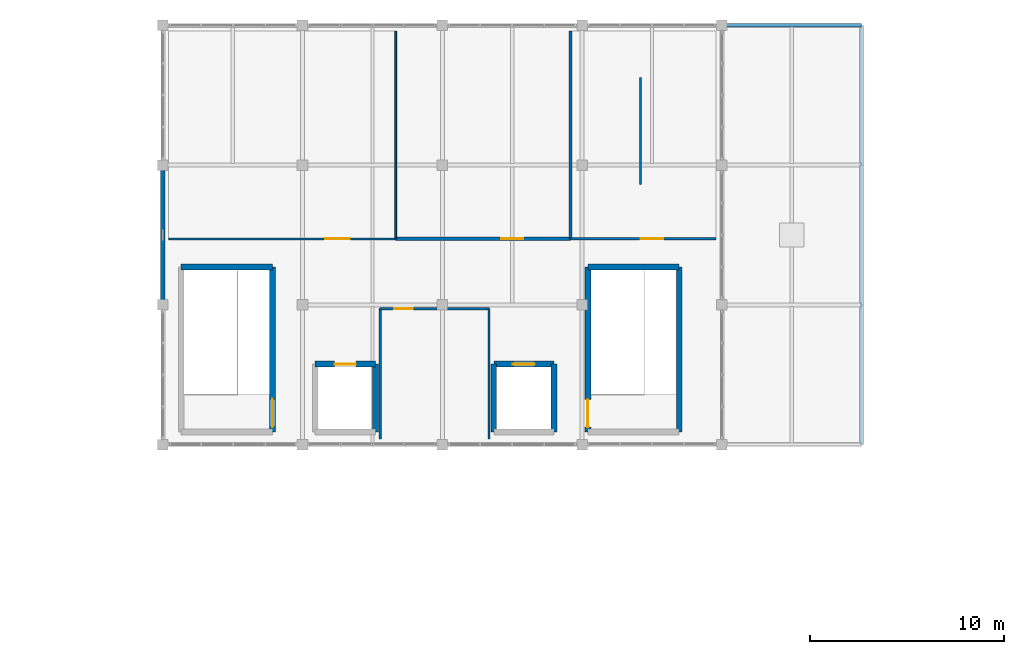
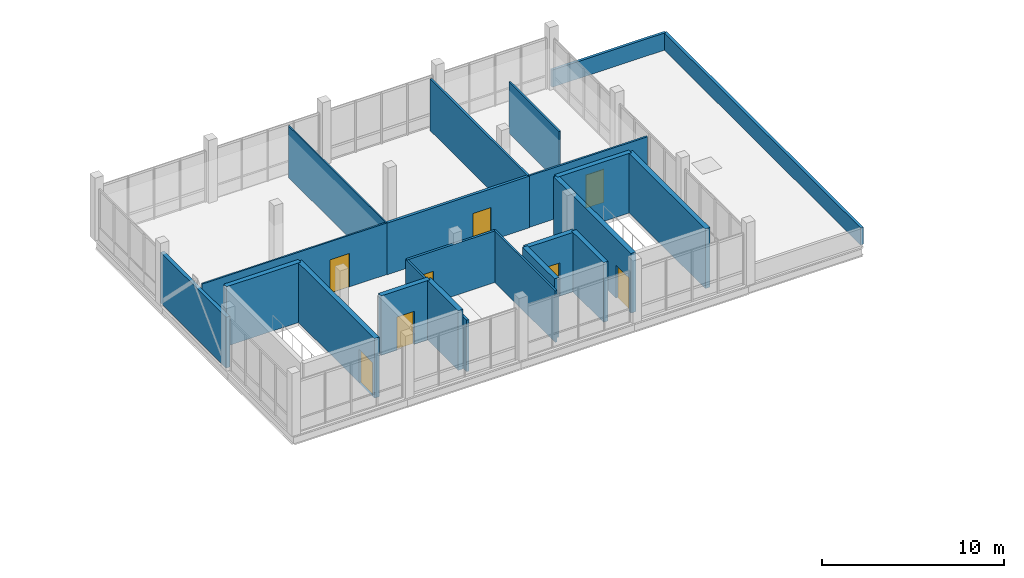
# One storey, part 24 of 28: 22 walls, 8 doors, 8 openings.
"""IFC4 building model written with IfcOpenShell, lengths in metres."""

from ifc_helpers import new_model, si_unit, direction, frame, frame_2d, origin, place, context, subcontext, project, spatial, rectangle, extrude, material, layer, layer_set, type_object, element, fill, save


model = new_model("IFC4")

# Units and contexts
model_context = context("Model", 3, precision=1e-05, world=origin(), true_north=direction((0.0, 1.0)))
body_context = subcontext(model_context, "Body", "Model", "MODEL_VIEW")
ifc_project = project(units=[si_unit("LENGTHUNIT", "METRE"), si_unit("AREAUNIT", "SQUARE_METRE"), si_unit("VOLUMEUNIT", "CUBIC_METRE"), si_unit("PLANEANGLEUNIT", "RADIAN"), si_unit("MASSUNIT", "GRAM", prefix="KILO")], contexts=[model_context])

# Site, building, storey
site_placement = place(None, origin())
site = spatial("IfcSite", under=ifc_project, at=site_placement, CompositionType="ELEMENT")
building_placement = place(site_placement, origin())
building = spatial("IfcBuilding", under=site, at=building_placement, Name="Yarey Park Central Fire Station", CompositionType="ELEMENT")
storey_placement = place(building_placement, frame((0.0, 0.0, 22.199951171875)))
storey = spatial("IfcBuildingStorey", under=building, at=storey_placement, Name="L06", CompositionType="ELEMENT", Elevation=22.199951171875)

# Walls
ifc_material_1 = material(Name="Concrete C35/45", Category="concrete")
ifc_layer_1 = layer(ifc_material_1, 0.22998046875)
ifc_layer_set_1 = layer_set([ifc_layer_1], Name="Concrete C35/45")
wall_type_1 = type_object("IfcWallType", Name="ENV_WALL_INS230", PredefinedType="STANDARD", material=ifc_layer_set_1)
wall_1_placement = place(storey_placement, frame((115.199951171875, 108.0, 0.0), z_axis=(0.0, 0.0, 1.0), x_axis=(0.0, -1.0, 0.0)))
element("IfcWall", 1, at=wall_1_placement, inside=storey, type_object=wall_type_1, Name="EW_L06_V4_WB", PredefinedType="STANDARD", context=body_context, shape_type="SweptSolid", body=[
    extrude(rectangle(XDim=7.199951171875, YDim=0.22998046875, at=frame_2d((3.60009765625, 0.0))), origin(), (0.0, 0.0, 1.0), 3.400146484375),
])
ifc_layer_2 = layer(ifc_material_1, 0.1650390625)
ifc_layer_set_2 = layer_set([ifc_layer_2], Name="Concrete C35/45")
wall_type_2 = type_object("IfcWallType", Name="ENV_WALL_PAR165", PredefinedType="PARAPET", material=ifc_layer_set_2)
wall_2_placement = place(storey_placement, frame((151.199951171875, 115.199951171875, 0.0), z_axis=(0.0, 0.0, 1.0), x_axis=(-1.0, 0.0, 0.0)))
element("IfcWall", 2, at=wall_2_placement, inside=storey, type_object=wall_type_2, Name="PAR_L06_28", PredefinedType="PARAPET", context=body_context, shape_type="SweptSolid", body=[
    extrude(rectangle(XDim=7.199951171875, YDim=0.1650390625, at=frame_2d((3.60009765625, 0.0))), origin(), (0.0, 0.0, 1.0), 1.150146484375),
])
ifc_layer_3 = layer(ifc_material_1, 0.18505859375)
ifc_layer_set_3 = layer_set([ifc_layer_3], Name="Concrete C35/45")
wall_type_3 = type_object("IfcWallType", Name="ENV_WALL_PAR185", PredefinedType="PARAPET", material=ifc_layer_set_3)
wall_3_placement = place(storey_placement, frame((151.199951171875, 93.60009765625, 0.0), z_axis=(0.0, 0.0, 1.0), x_axis=(0.0, 1.0, 0.0)))
element("IfcWall", 3, at=wall_3_placement, inside=storey, type_object=wall_type_3, Name="PAR_L06_27", PredefinedType="PARAPET", context=body_context, shape_type="SweptSolid", body=[
    extrude(rectangle(XDim=21.599853515625, YDim=0.18505859375, at=frame_2d((10.7998046875, 0.0))), origin(), (0.0, 0.0, 1.0), 1.150146484375),
])

# Wall, opening, door
ifc_material_2 = material(Name="Concrete C40/50", Category="concrete")
ifc_layer_4 = layer(ifc_material_2, 0.27001953125)
ifc_layer_set_4 = layer_set([ifc_layer_4], Name="Concrete C40/50")
wall_type_4 = type_object("IfcWallType", Name="INT_CORE_RC270", PredefinedType="SHEAR", material=ifc_layer_set_4)
wall_4_placement = place(storey_placement, frame((126.14990234375, 97.75, 0.0), z_axis=(0.0, 0.0, 1.0), x_axis=(-1.0, 0.0, 0.0)))
wall_4 = element("IfcWall", 4, at=wall_4_placement, inside=storey, type_object=wall_type_4, Name="LWALL_C1_L06_N", PredefinedType="SHEAR", context=body_context, shape_type="SweptSolid", body=[
    extrude(rectangle(XDim=3.099853515625, YDim=0.300048828125, at=frame_2d((1.5498046875, 0.0))), origin(), (0.0, 0.0, 1.0), 3.989990234375),
])
opening_1_placement = place(wall_4_placement, frame((1.0, 0.0, 0.0)))
opening_1 = element("IfcOpeningElement", 5, at=opening_1_placement, cuts=wall_4, Name="Opening LD-11", PredefinedType="OPENING", context=body_context, shape_type="SweptSolid", body=[
    extrude(rectangle(XDim=1.10009765625, YDim=2.219970703125, at=frame_2d((0.550048828125, 1.10986328125))), frame((0.0, 0.159912109375, 0.0), z_axis=(0.0, -1.0, 0.0), x_axis=(1.0, 0.0, 0.0)), (0.0, 0.0, 1.0), 0.320068359375),
])
ifc_material_3 = material(Name="Stainless Steel AISI 316L", Category="steel")
door_type_1 = type_object("IfcDoorType", Name="DR_LD_1100", OperationType="NOTDEFINED", PredefinedType="DOOR", material=ifc_material_3)
door_1_placement = place(opening_1_placement, origin())
door_1 = element("IfcDoor", 6, at=door_1_placement, inside=storey, type_object=door_type_1, Name="Lift Landing Door LF-1-L06", OperationType="SLIDING_TO_LEFT", OverallHeight=2.219970703125, OverallWidth=1.10009765625, PredefinedType="DOOR", context=body_context, shape_type="SweptSolid", body=[
    extrude(rectangle(XDim=1.10009765625, YDim=2.219970703125, at=frame_2d((0.550048828125, 1.10986328125))), frame((0.0, 0.02490234375, 0.0), z_axis=(0.0, -1.0, 0.0), x_axis=(1.0, 0.0, 0.0)), (0.0, 0.0, 1.0), 0.050048828125),
])
fill(opening_1, door_1)

# Wall
wall_5_placement = place(storey_placement, frame((126.14990234375, 94.25, 0.0), z_axis=(0.0, 0.0, 1.0), x_axis=(0.0, 1.0, 0.0)))
element("IfcWall", 7, at=wall_5_placement, inside=storey, type_object=wall_type_4, Name="LWALL_C1_L06_E", PredefinedType="SHEAR", context=body_context, shape_type="SweptSolid", body=[
    extrude(rectangle(XDim=3.5, YDim=0.300048828125, at=frame_2d((1.75, 0.0))), origin(), (0.0, 0.0, 1.0), 3.989990234375),
])

# Wall, opening, door
wall_6_placement = place(storey_placement, frame((135.35009765625, 97.75, 0.0), z_axis=(0.0, 0.0, 1.0), x_axis=(-1.0, 0.0, 0.0)))
wall_6 = element("IfcWall", 8, at=wall_6_placement, inside=storey, type_object=wall_type_4, Name="LWALL_C2_L06_N", PredefinedType="SHEAR", context=body_context, shape_type="SweptSolid", body=[
    extrude(rectangle(XDim=3.10009765625, YDim=0.300048828125, at=frame_2d((1.550048828125, 0.0))), origin(), (0.0, 0.0, 1.0), 3.989990234375),
])
opening_2_placement = place(wall_6_placement, frame((0.97998046875, 0.0, 0.0)))
opening_2 = element("IfcOpeningElement", 9, at=opening_2_placement, cuts=wall_6, Name="Opening LD-11B", PredefinedType="OPENING", context=body_context, shape_type="SweptSolid", body=[
    extrude(rectangle(XDim=1.139892578125, YDim=2.239990234375, at=frame_2d((0.56982421875, 1.1201171875))), frame((0.0, 0.159912109375, 0.0), z_axis=(0.0, -1.0, 0.0), x_axis=(1.0, 0.0, 0.0)), (0.0, 0.0, 1.0), 0.320068359375),
])
door_type_2 = type_object("IfcDoorType", Name="DR_LD_1140", OperationType="NOTDEFINED", PredefinedType="DOOR", material=ifc_material_3)
door_2_placement = place(opening_2_placement, origin())
door_2 = element("IfcDoor", 10, at=door_2_placement, inside=storey, type_object=door_type_2, Name="Lift Landing Door LF-2-L06", OperationType="SLIDING_TO_LEFT", OverallHeight=2.239990234375, OverallWidth=1.139892578125, PredefinedType="DOOR", context=body_context, shape_type="SweptSolid", body=[
    extrude(rectangle(XDim=1.139892578125, YDim=2.239990234375, at=frame_2d((0.56982421875, 1.1201171875))), frame((0.0, 0.02490234375, 0.0), z_axis=(0.0, -1.0, 0.0), x_axis=(1.0, 0.0, 0.0)), (0.0, 0.0, 1.0), 0.050048828125),
])
fill(opening_2, door_2)

# Walls
for number, where, z_axis, x_axis, name in (
    (11, (132.25, 97.75, 0.0), (0.0, 0.0, 1.0), (0.0, -1.0, 0.0), "LWALL_C2_L06_W"),
    (12, (135.35009765625, 94.25, 0.0), (0.0, 0.0, 1.0), (0.0, 1.0, 0.0), "LWALL_C2_L06_E"),
):
    element("IfcWall", number, at=place(storey_placement, frame(where, z_axis=z_axis, x_axis=x_axis)), inside=storey, type_object=wall_type_4, Name=name, PredefinedType="SHEAR", context=body_context, shape_type="SweptSolid", body=[
        extrude(rectangle(XDim=3.5, YDim=0.300048828125, at=frame_2d((1.75, 0.0))), origin(), (0.0, 0.0, 1.0), 3.989990234375),
    ])
ifc_layer_5 = layer(ifc_material_2, 0.300048828125)
ifc_layer_set_5 = layer_set([ifc_layer_5], Name="Concrete C40/50")
wall_type_5 = type_object("IfcWallType", Name="INT_CORE_RC300", PredefinedType="SHEAR", material=ifc_layer_set_5)
wall_7_placement = place(storey_placement, frame((120.85009765625, 102.75, 0.0), z_axis=(0.0, 0.0, 1.0), x_axis=(-1.0, 0.0, 0.0)))
element("IfcWall", 13, at=wall_7_placement, inside=storey, type_object=wall_type_5, Name="CWALL_C1_L06_N", PredefinedType="SHEAR", context=body_context, shape_type="SweptSolid", body=[
    extrude(rectangle(XDim=4.7001953125, YDim=0.300048828125, at=frame_2d((2.35009765625, 0.0))), origin(), (0.0, 0.0, 1.0), 3.989990234375),
])

# Wall, opening, door
wall_8_placement = place(storey_placement, frame((120.85009765625, 94.25, 0.0), z_axis=(0.0, 0.0, 1.0), x_axis=(0.0, 1.0, 0.0)))
wall_8 = element("IfcWall", 14, at=wall_8_placement, inside=storey, type_object=wall_type_5, Name="CWALL_C1_L06_E", PredefinedType="SHEAR", context=body_context, shape_type="SweptSolid", body=[
    extrude(rectangle(XDim=8.5, YDim=0.300048828125, at=frame_2d((4.25, 0.0))), origin(), (0.0, 0.0, 1.0), 3.989990234375),
])
opening_3_placement = place(wall_8_placement, frame((0.25, 0.0, 0.0)))
opening_3 = element("IfcOpeningElement", 15, at=opening_3_placement, cuts=wall_8, Name="Opening SD-146", PredefinedType="OPENING", context=body_context, shape_type="SweptSolid", body=[
    extrude(rectangle(XDim=1.4599609375, YDim=2.239990234375, at=frame_2d((0.72998046875, 1.1201171875))), frame((0.0, 0.159912109375, 0.0), z_axis=(0.0, -1.0, 0.0), x_axis=(1.0, 0.0, 0.0)), (0.0, 0.0, 1.0), 0.320068359375),
])
ifc_material_4 = material(Name="Galvanized Hollow Metal Door", Category="metal")
door_type_3 = type_object("IfcDoorType", Name="DR_STAIR_1460", OperationType="NOTDEFINED", PredefinedType="DOOR", material=ifc_material_4)
door_3_placement = place(opening_3_placement, origin())
door_3 = element("IfcDoor", 16, at=door_3_placement, inside=storey, type_object=door_type_3, Name="DOOR_STAIR_C1_L06", OperationType="SINGLE_SWING_RIGHT", OverallHeight=2.239990234375, OverallWidth=1.4599609375, PredefinedType="DOOR", context=body_context, shape_type="SweptSolid", body=[
    extrude(rectangle(XDim=1.4599609375, YDim=2.239990234375, at=frame_2d((0.72998046875, 1.1201171875))), frame((0.0, 0.02490234375, 0.0), z_axis=(0.0, -1.0, 0.0), x_axis=(1.0, 0.0, 0.0)), (0.0, 0.0, 1.0), 0.050048828125),
])
fill(opening_3, door_3)

# Wall
wall_9_placement = place(storey_placement, frame((141.800048828125, 102.75, 0.0), z_axis=(0.0, 0.0, 1.0), x_axis=(-1.0, 0.0, 0.0)))
element("IfcWall", 17, at=wall_9_placement, inside=storey, type_object=wall_type_5, Name="CWALL_C2_L06_N", PredefinedType="SHEAR", context=body_context, shape_type="SweptSolid", body=[
    extrude(rectangle(XDim=4.699951171875, YDim=0.300048828125, at=frame_2d((2.35009765625, 0.0))), origin(), (0.0, 0.0, 1.0), 3.989990234375),
])

# Wall, opening, door
wall_10_placement = place(storey_placement, frame((137.10009765625, 102.75, 0.0), z_axis=(0.0, 0.0, 1.0), x_axis=(0.0, -1.0, 0.0)))
wall_10 = element("IfcWall", 18, at=wall_10_placement, inside=storey, type_object=wall_type_5, Name="CWALL_C2_L06_W", PredefinedType="SHEAR", context=body_context, shape_type="SweptSolid", body=[
    extrude(rectangle(XDim=8.5, YDim=0.300048828125, at=frame_2d((4.25, 0.0))), origin(), (0.0, 0.0, 1.0), 3.989990234375),
])
opening_4_placement = place(wall_10_placement, frame((6.830078125, 0.0, 0.0)))
opening_4 = element("IfcOpeningElement", 19, at=opening_4_placement, cuts=wall_10, Name="Opening SD-142", PredefinedType="OPENING", context=body_context, shape_type="SweptSolid", body=[
    extrude(rectangle(XDim=1.419921875, YDim=2.219970703125, at=frame_2d((0.7099609375, 1.10986328125))), frame((0.0, 0.159912109375, 0.0), z_axis=(0.0, -1.0, 0.0), x_axis=(1.0, 0.0, 0.0)), (0.0, 0.0, 1.0), 0.320068359375),
])
door_type_4 = type_object("IfcDoorType", Name="DR_STAIR_1420", OperationType="NOTDEFINED", PredefinedType="DOOR", material=ifc_material_4)
door_4_placement = place(opening_4_placement, origin())
door_4 = element("IfcDoor", 20, at=door_4_placement, inside=storey, type_object=door_type_4, Name="DOOR_STAIR_C2_L06", OperationType="SINGLE_SWING_RIGHT", OverallHeight=2.219970703125, OverallWidth=1.419921875, PredefinedType="DOOR", context=body_context, shape_type="SweptSolid", body=[
    extrude(rectangle(XDim=1.419921875, YDim=2.219970703125, at=frame_2d((0.7099609375, 1.10986328125))), frame((0.0, 0.02490234375, 0.0), z_axis=(0.0, -1.0, 0.0), x_axis=(1.0, 0.0, 0.0)), (0.0, 0.0, 1.0), 0.050048828125),
])
fill(opening_4, door_4)

# Wall
wall_11_placement = place(storey_placement, frame((141.800048828125, 94.25, 0.0), z_axis=(0.0, 0.0, 1.0), x_axis=(0.0, 1.0, 0.0)))
element("IfcWall", 21, at=wall_11_placement, inside=storey, type_object=wall_type_5, Name="CWALL_C2_L06_E", PredefinedType="SHEAR", context=body_context, shape_type="SweptSolid", body=[
    extrude(rectangle(XDim=8.5, YDim=0.300048828125, at=frame_2d((4.25, 0.0))), origin(), (0.0, 0.0, 1.0), 3.989990234375),
])

# Wall, opening, door
ifc_material_5 = material(Name="Gypsum Shaftliner Assembly", Category="gypsum")
ifc_layer_6 = layer(ifc_material_5, 0.14990234375)
ifc_layer_set_6 = layer_set([ifc_layer_6], Name="Gypsum Shaftliner Assembly")
wall_type_6 = type_object("IfcWallType", Name="INT_WALL_AC150", PredefinedType="STANDARD", material=ifc_layer_set_6)
wall_12_placement = place(storey_placement, frame((132.0, 100.60009765625, 0.0), z_axis=(0.0, 0.0, 1.0), x_axis=(-1.0, 0.0, 0.0)))
wall_12 = element("IfcWall", 22, at=wall_12_placement, inside=storey, type_object=wall_type_6, Name="PART_SPC_L06_V4_WCA_NORTH", PredefinedType="STANDARD", context=body_context, shape_type="SweptSolid", body=[
    extrude(rectangle(XDim=5.60009765625, YDim=0.14990234375, at=frame_2d((2.800048828125, 0.0))), origin(), (0.0, 0.0, 1.0), 3.45703125),
])
opening_5_placement = place(wall_12_placement, frame((3.929931640625, 0.0, 0.0)))
opening_5 = element("IfcOpeningElement", 23, at=opening_5_placement, cuts=wall_12, Name="Opening WD-095", PredefinedType="OPENING", context=body_context, shape_type="SweptSolid", body=[
    extrude(rectangle(XDim=0.93994140625, YDim=2.1201171875, at=frame_2d((0.469970703125, 1.06005859375))), frame((0.0, 0.0849609375, 0.0), z_axis=(0.0, -1.0, 0.0), x_axis=(1.0, 0.0, 0.0)), (0.0, 0.0, 1.0), 0.169921875),
])
ifc_material_6 = material(Name="Phenolic Moisture-Resistant Leaf", Category="wood")
door_type_5 = type_object("IfcDoorType", Name="DR_WC_950", OperationType="NOTDEFINED", PredefinedType="DOOR", material=ifc_material_6)
door_5_placement = place(opening_5_placement, origin())
door_5 = element("IfcDoor", 24, at=door_5_placement, inside=storey, type_object=door_type_5, Name="DOOR_SPC_L06_V4_WCA", OperationType="SINGLE_SWING_LEFT", OverallHeight=2.1201171875, OverallWidth=0.93994140625, PredefinedType="DOOR", context=body_context, shape_type="SweptSolid", body=[
    extrude(rectangle(XDim=0.93994140625, YDim=2.1201171875, at=frame_2d((0.469970703125, 1.06005859375))), frame((0.0, 0.02490234375, 0.0), z_axis=(0.0, -1.0, 0.0), x_axis=(1.0, 0.0, 0.0)), (0.0, 0.0, 1.0), 0.050048828125),
])
fill(opening_5, door_5)

ifc_layer_7 = layer(ifc_material_5, 0.169921875)
ifc_layer_set_7 = layer_set([ifc_layer_7], Name="Gypsum Shaftliner Assembly")
wall_type_7 = type_object("IfcWallType", Name="INT_WALL_AC170", PredefinedType="STANDARD", material=ifc_layer_set_7)
wall_13_placement = place(storey_placement, frame((127.199951171875, 104.199951171875, 0.0), z_axis=(0.0, 0.0, 1.0), x_axis=(1.0, 0.0, 0.0)))
wall_13 = element("IfcWall", 25, at=wall_13_placement, inside=storey, type_object=wall_type_7, Name="PART_SPC_L06_GIS_SOUTH", PredefinedType="STANDARD", context=body_context, shape_type="SweptSolid", body=[
    extrude(rectangle(XDim=9.0, YDim=0.169921875, at=frame_2d((4.5, 0.0))), origin(), (0.0, 0.0, 1.0), 3.45703125),
])
opening_6_placement = place(wall_13_placement, frame((5.43994140625, 0.0, 0.0)))
opening_6 = element("IfcOpeningElement", 26, at=opening_6_placement, cuts=wall_13, Name="Opening ID-112", PredefinedType="OPENING", context=body_context, shape_type="SweptSolid", body=[
    extrude(rectangle(XDim=1.1201171875, YDim=2.199951171875, at=frame_2d((0.56005859375, 1.10009765625))), frame((0.0, 0.094970703125, 0.0), z_axis=(0.0, -1.0, 0.0), x_axis=(1.0, 0.0, 0.0)), (0.0, 0.0, 1.0), 0.18994140625),
])
ifc_material_7 = material(Name="Hardwood Acoustic Leaf", Category="wood")
door_type_6 = type_object("IfcDoorType", Name="DR_INT_1120", OperationType="NOTDEFINED", PredefinedType="DOOR", material=ifc_material_7)
door_6_placement = place(opening_6_placement, origin())
door_6 = element("IfcDoor", 27, at=door_6_placement, inside=storey, type_object=door_type_6, Name="DOOR_SPC_L06_GIS", OperationType="SINGLE_SWING_LEFT", OverallHeight=2.199951171875, OverallWidth=1.1201171875, PredefinedType="DOOR", context=body_context, shape_type="SweptSolid", body=[
    extrude(rectangle(XDim=1.1201171875, YDim=2.199951171875, at=frame_2d((0.56005859375, 1.10009765625))), frame((0.0, 0.02490234375, 0.0), z_axis=(0.0, -1.0, 0.0), x_axis=(1.0, 0.0, 0.0)), (0.0, 0.0, 1.0), 0.050048828125),
])
fill(opening_6, door_6)

# Walls
ifc_material_8 = material(Name="Operable Acoustic Panel Partition", Category="metal")
ifc_layer_8 = layer(ifc_material_8, 0.112060546875)
ifc_layer_set_8 = layer_set([ifc_layer_8], Name="Operable Acoustic Panel Partition")
wall_type_8 = type_object("IfcWallType", Name="INT_WALL_MOV112", PredefinedType="MOVABLE", material=ifc_layer_set_8)
wall_14_placement = place(storey_placement, frame((139.800048828125, 107.0, 0.0), z_axis=(0.0, 0.0, 1.0), x_axis=(0.0, 1.0, 0.0)))
element("IfcWall", 28, at=wall_14_placement, inside=storey, type_object=wall_type_8, Name="MOV_L06_CONF", PredefinedType="MOVABLE", context=body_context, shape_type="SweptSolid", body=[
    extrude(rectangle(XDim=5.5, YDim=0.112060546875, at=frame_2d((2.75, 0.0))), origin(), (0.0, 0.0, 1.0), 3.45703125),
])
ifc_material_9 = material(Name="Gypsum Acoustic Partition", Category="gypsum")
ifc_layer_9 = layer(ifc_material_9, 0.0859375)
ifc_layer_set_9 = layer_set([ifc_layer_9], Name="Gypsum Acoustic Partition")
wall_type_9 = type_object("IfcWallType", Name="INT_WALL_PT086", PredefinedType="STANDARD", material=ifc_layer_set_9)
wall_15_placement = place(storey_placement, frame((127.199951171875, 104.199951171875, 0.0), z_axis=(0.0, 0.0, 1.0), x_axis=(0.0, 1.0, 0.0)))
element("IfcWall", 29, at=wall_15_placement, inside=storey, type_object=wall_type_9, Name="PART_SPC_L06_CMD_EAST", PredefinedType="STANDARD", context=body_context, shape_type="SweptSolid", body=[
    extrude(rectangle(XDim=10.699951171875, YDim=0.0859375, at=frame_2d((5.35009765625, 0.0))), origin(), (0.0, 0.0, 1.0), 3.45703125),
])

# Wall, opening, door
ifc_layer_10 = layer(ifc_material_9, 0.10205078125)
ifc_layer_set_10 = layer_set([ifc_layer_10], Name="Gypsum Acoustic Partition")
wall_type_10 = type_object("IfcWallType", Name="INT_WALL_PT102", PredefinedType="STANDARD", material=ifc_layer_set_10)
wall_16_placement = place(storey_placement, frame((115.5, 104.199951171875, 0.0), z_axis=(0.0, 0.0, 1.0), x_axis=(1.0, 0.0, 0.0)))
wall_16 = element("IfcWall", 30, at=wall_16_placement, inside=storey, type_object=wall_type_10, Name="PART_SPC_L06_CMD_SOUTH", PredefinedType="STANDARD", context=body_context, shape_type="SweptSolid", body=[
    extrude(rectangle(XDim=11.699951171875, YDim=0.10205078125, at=frame_2d((5.85009765625, 0.0))), origin(), (0.0, 0.0, 1.0), 3.45703125),
])
opening_7_placement = place(wall_16_placement, frame((8.080078125, 0.0, 0.0)))
opening_7 = element("IfcOpeningElement", 31, at=opening_7_placement, cuts=wall_16, Name="Opening ID-124", PredefinedType="OPENING", context=body_context, shape_type="SweptSolid", body=[
    extrude(rectangle(XDim=1.239990234375, YDim=2.239990234375, at=frame_2d((0.6201171875, 1.1201171875))), frame((0.0, 0.06103515625, 0.0), z_axis=(0.0, -1.0, 0.0), x_axis=(1.0, 0.0, 0.0)), (0.0, 0.0, 1.0), 0.1220703125),
])
door_type_7 = type_object("IfcDoorType", Name="DR_INT_1240", OperationType="NOTDEFINED", PredefinedType="DOOR", material=ifc_material_7)
door_7_placement = place(opening_7_placement, origin())
door_7 = element("IfcDoor", 32, at=door_7_placement, inside=storey, type_object=door_type_7, Name="DOOR_SPC_L06_CMD", OperationType="SINGLE_SWING_RIGHT", OverallHeight=2.239990234375, OverallWidth=1.239990234375, PredefinedType="DOOR", context=body_context, shape_type="SweptSolid", body=[
    extrude(rectangle(XDim=1.239990234375, YDim=2.239990234375, at=frame_2d((0.6201171875, 1.1201171875))), frame((0.0, 0.02490234375, 0.0), z_axis=(0.0, -1.0, 0.0), x_axis=(1.0, 0.0, 0.0)), (0.0, 0.0, 1.0), 0.050048828125),
])
fill(opening_7, door_7)

# Wall
ifc_layer_11 = layer(ifc_material_9, 0.117919921875)
ifc_layer_set_11 = layer_set([ifc_layer_11], Name="Gypsum Acoustic Partition")
wall_type_11 = type_object("IfcWallType", Name="INT_WALL_PT118", PredefinedType="STANDARD", material=ifc_layer_set_11)
wall_17_placement = place(storey_placement, frame((132.0, 93.89990234375, 0.0), z_axis=(0.0, 0.0, 1.0), x_axis=(0.0, 1.0, 0.0)))
element("IfcWall", 33, at=wall_17_placement, inside=storey, type_object=wall_type_11, Name="PART_SPC_L06_V4_WCA_EAST", PredefinedType="STANDARD", context=body_context, shape_type="SweptSolid", body=[
    extrude(rectangle(XDim=6.7001953125, YDim=0.117919921875, at=frame_2d((3.35009765625, 0.0))), origin(), (0.0, 0.0, 1.0), 3.45703125),
])

# Wall, opening, door
wall_18_placement = place(storey_placement, frame((136.199951171875, 104.199951171875, 0.0), z_axis=(0.0, 0.0, 1.0), x_axis=(1.0, 0.0, 0.0)))
wall_18 = element("IfcWall", 34, at=wall_18_placement, inside=storey, type_object=wall_type_11, Name="PART_SPC_L06_CONF_SOUTH", PredefinedType="STANDARD", context=body_context, shape_type="SweptSolid", body=[
    extrude(rectangle(XDim=7.5, YDim=0.117919921875, at=frame_2d((3.75, 0.0))), origin(), (0.0, 0.0, 1.0), 3.45703125),
])
opening_8_placement = place(wall_18_placement, frame((3.6201171875, 0.0, 0.0)))
opening_8 = element("IfcOpeningElement", 35, at=opening_8_placement, cuts=wall_18, Name="Opening ID-116", PredefinedType="OPENING", context=body_context, shape_type="SweptSolid", body=[
    extrude(rectangle(XDim=1.159912109375, YDim=2.219970703125, at=frame_2d((0.580078125, 1.10986328125))), frame((0.0, 0.06884765625, 0.0), z_axis=(0.0, -1.0, 0.0), x_axis=(1.0, 0.0, 0.0)), (0.0, 0.0, 1.0), 0.137939453125),
])
door_type_8 = type_object("IfcDoorType", Name="DR_INT_1160", OperationType="NOTDEFINED", PredefinedType="DOOR", material=ifc_material_7)
door_8_placement = place(opening_8_placement, origin())
door_8 = element("IfcDoor", 36, at=door_8_placement, inside=storey, type_object=door_type_8, Name="DOOR_SPC_L06_CONF", OperationType="SINGLE_SWING_RIGHT", OverallHeight=2.219970703125, OverallWidth=1.159912109375, PredefinedType="DOOR", context=body_context, shape_type="SweptSolid", body=[
    extrude(rectangle(XDim=1.159912109375, YDim=2.219970703125, at=frame_2d((0.580078125, 1.10986328125))), frame((0.0, 0.02490234375, 0.0), z_axis=(0.0, -1.0, 0.0), x_axis=(1.0, 0.0, 0.0)), (0.0, 0.0, 1.0), 0.050048828125),
])
fill(opening_8, door_8)

# Walls
ifc_layer_12 = layer(ifc_material_9, 0.134033203125)
ifc_layer_set_12 = layer_set([ifc_layer_12], Name="Gypsum Acoustic Partition")
wall_type_12 = type_object("IfcWallType", Name="INT_WALL_PT134", PredefinedType="STANDARD", material=ifc_layer_set_12)
wall_19_placement = place(storey_placement, frame((126.39990234375, 100.60009765625, 0.0), z_axis=(0.0, 0.0, 1.0), x_axis=(0.0, -1.0, 0.0)))
element("IfcWall", 37, at=wall_19_placement, inside=storey, type_object=wall_type_12, Name="PART_SPC_L06_V4_WCA_WEST", PredefinedType="STANDARD", context=body_context, shape_type="SweptSolid", body=[
    extrude(rectangle(XDim=6.7001953125, YDim=0.134033203125, at=frame_2d((3.35009765625, 0.0))), origin(), (0.0, 0.0, 1.0), 3.45703125),
])
wall_20_placement = place(storey_placement, frame((136.199951171875, 104.199951171875, 0.0), z_axis=(0.0, 0.0, 1.0), x_axis=(0.0, 1.0, 0.0)))
element("IfcWall", 38, at=wall_20_placement, inside=storey, type_object=wall_type_12, Name="PART_SPC_L06_GIS_EAST", PredefinedType="STANDARD", context=body_context, shape_type="SweptSolid", body=[
    extrude(rectangle(XDim=10.699951171875, YDim=0.134033203125, at=frame_2d((5.35009765625, 0.0))), origin(), (0.0, 0.0, 1.0), 3.45703125),
])

save(model, "model.ifc")
